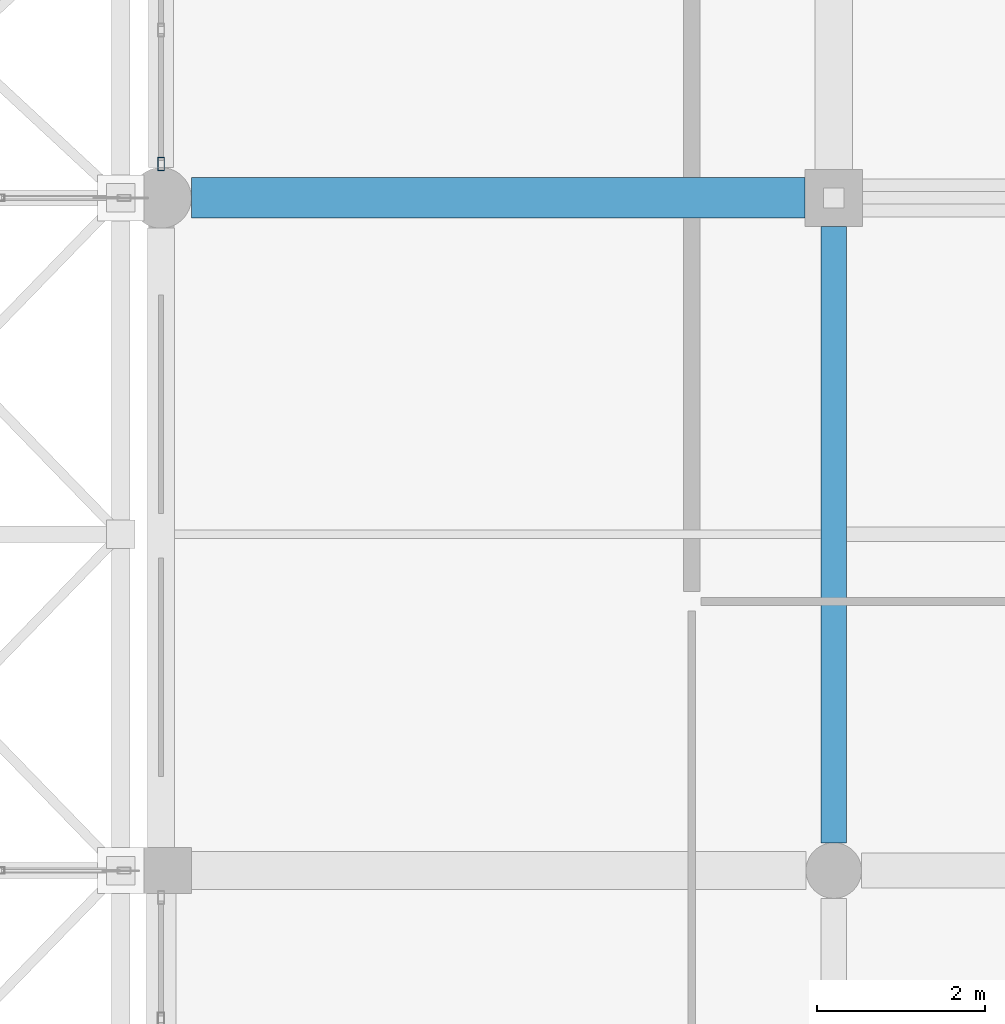
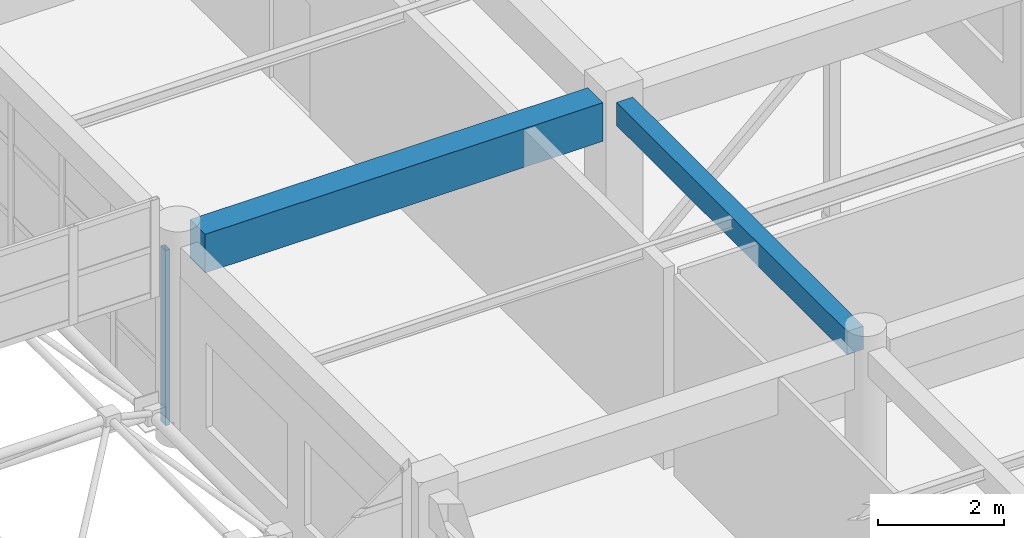
# One storey, part 102 of 195: 2 beams, 1 member, 1 element without a shape of its own.
"""IFC4 building model written with IfcOpenShell, lengths in metres."""

from ifc_helpers import new_model, si_unit, direction, frame, origin, origin_2d, place, context, subcontext, project, spatial, rectangle, hollow_rectangle, extrude, material, material_profile, profile_set, type_object, element, aggregate, save


model = new_model("IFC4")

# Units and contexts
model_context = context("Model", 3, precision=1e-05, world=origin(), true_north=direction((0.0, 1.0)))
body_context = subcontext(model_context, "Body", "Model", "MODEL_VIEW")
ifc_project = project(units=[si_unit("LENGTHUNIT", "METRE"), si_unit("AREAUNIT", "SQUARE_METRE"), si_unit("VOLUMEUNIT", "CUBIC_METRE"), si_unit("PLANEANGLEUNIT", "RADIAN"), si_unit("MASSUNIT", "GRAM", prefix="KILO")], contexts=[model_context])

# Site, building, storey
site_placement = place(None, origin())
site = spatial("IfcSite", under=ifc_project, at=site_placement, CompositionType="ELEMENT")
building_placement = place(site_placement, origin())
building = spatial("IfcBuilding", under=site, at=building_placement, Name="Kharva Crest Polytechnic", CompositionType="ELEMENT")
storey_placement = place(building_placement, frame((0.0, 0.0, 9.0)))
storey = spatial("IfcBuildingStorey", under=building, at=storey_placement, Name="L02", CompositionType="ELEMENT", Elevation=9.0)

# Beams
ifc_material_1 = material(Name="Concrete C35/45", Category="concrete")
ifc_material_profile_1 = material_profile(ifc_material_1, rectangle(XDim=0.300048828125, YDim=0.449951171875, at=origin_2d()), Name="RECT 300 X 450")
ifc_profile_set_1 = profile_set([ifc_material_profile_1], Name="Concrete C35/45")
beam_type_1 = type_object("IfcBeamType", Name="BM-RC-300X450", PredefinedType="BEAM", material=ifc_profile_set_1)
beam_1_placement = place(storey_placement, frame((40.0, 71.1298828125, 3.695068359375), z_axis=(0.0, 1.0, 0.0), x_axis=(-1.0, 0.0, 0.0)))
element("IfcBeam", 1, at=beam_1_placement, inside=storey, type_object=beam_type_1, Name="L02 Girder 6/K-L", PredefinedType="BEAM", context=body_context, shape_type="SweptSolid", body=[
    extrude(rectangle(XDim=0.300048828125, YDim=0.449951171875, at=origin_2d()), origin(), (0.0, 0.0, 1.0), 7.330078125),
])
ifc_material_profile_2 = material_profile(ifc_material_1, rectangle(XDim=0.47998046875, YDim=0.75, at=origin_2d()), Name="RECT 480 X 750")
ifc_profile_set_2 = profile_set([ifc_material_profile_2], Name="Concrete C35/45")
beam_type_2 = type_object("IfcBeamType", Name="BM-RC-480X750", PredefinedType="BEAM", material=ifc_profile_set_2)
beam_2_placement = place(storey_placement, frame((32.360107421875, 78.800048828125, 3.544921875), z_axis=(1.0, 0.0, 0.0), x_axis=(0.0, 1.0, 0.0)))
element("IfcBeam", 2, at=beam_2_placement, inside=storey, type_object=beam_type_2, Name="L02 Beam L/5-6", PredefinedType="BEAM", context=body_context, shape_type="SweptSolid", body=[
    extrude(rectangle(XDim=0.47998046875, YDim=0.75, at=origin_2d()), origin(), (0.0, 0.0, 1.0), 7.2998046875),
])

# Curtain wall, member
ifc_material_2 = material(Name="Tempered insulated glass", Category="glass")
curtain_wall_type = type_object("IfcCurtainWallType", Name="CW-SYS-COURT", PredefinedType="USERDEFINED", material=ifc_material_2)
curtain_wall_placement = place(storey_placement, origin())
curtain_wall = element("IfcCurtainWall", 3, at=curtain_wall_placement, inside=storey, type_object=curtain_wall_type, Name="L02 Glazed Curtain Wall CW-098", ObjectType="CURTAIN WALL", PredefinedType="USERDEFINED")
ifc_material_3 = material(Name="Steel S355", Category="steel")
ifc_material_profile_3 = material_profile(ifc_material_3, hollow_rectangle(XDim=0.080078125, YDim=0.159912109375, WallThickness=0.0048828125, at=origin_2d()), Name="RHS 160X80X5.0")
ifc_profile_set_3 = profile_set([ifc_material_profile_3], Name="Steel S355")
member_type = type_object("IfcMemberType", Name="CWM-RHS160X80", PredefinedType="MULLION", material=ifc_profile_set_3)
member_placement = place(storey_placement, frame((32.0, 79.205078125, 0.0), z_axis=(0.0, 0.0, 1.0), x_axis=(1.0, 0.0, 0.0)))
member = element("IfcMember", 4, at=member_placement, type_object=member_type, Name="CW-098 mullion 5", PredefinedType="MULLION", context=body_context, shape_type="SweptSolid", body=[
    extrude(hollow_rectangle(XDim=0.080078125, YDim=0.159912109375, WallThickness=0.0048828125, at=origin_2d()), origin(), (0.0, 0.0, 1.0), 3.39990234375),
])
aggregate(curtain_wall, [member])

save(model, "model.ifc")
